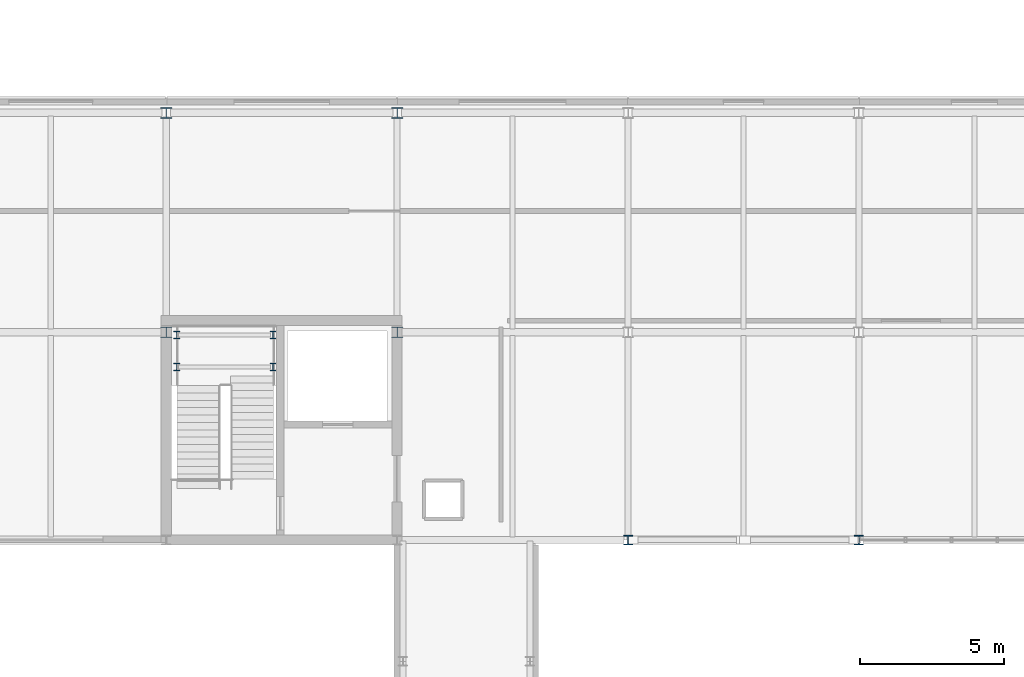
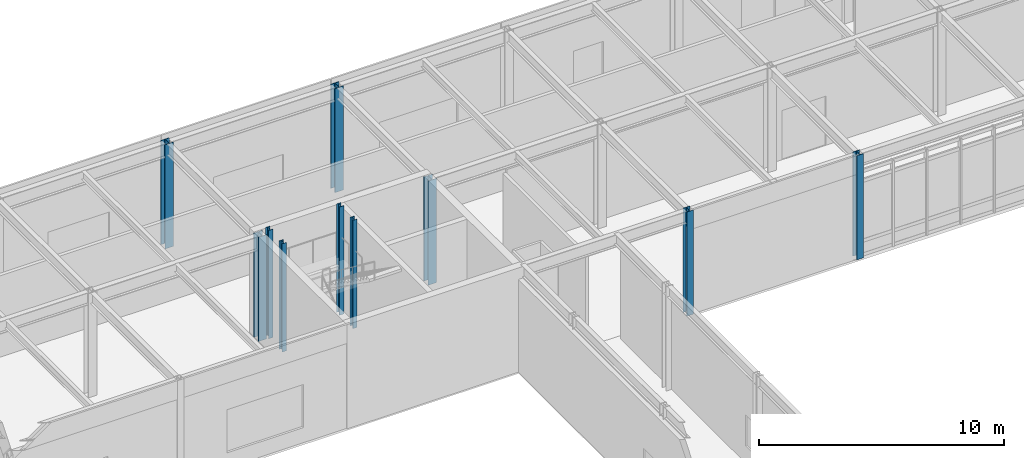
# One storey, part 6 of 94: 10 columns.
"""IFC4 building model written with IfcOpenShell, lengths in metres."""

import ifcopenshell
import ifcopenshell.guid

model = None  # the IFC model being written
_history = None  # IfcOwnerHistory: only IFC2X3 demands one
_inside = {}  # id of a spatial element -> (the spatial element, [elements in it])
_under = {}  # id of a project, library or spatial element -> (it, [spatial elements below it])
_declared = {}  # id of a project -> (the project, [libraries it declares])
_typed = {}  # id of a type object -> (the type object, [elements of that type])
_made_of = {}  # id of a material, layer set ... -> (it, [elements and type objects made of it])


def new_model(schema):
    """Start an empty IFC model of exactly this schema.

    Asked for "IFC4X3", IfcOpenShell would pick the latest addendum, in which some entities
    have other attributes; the version numbers below select the first issue.
    IFC2X3 requires an IfcOwnerHistory on every rooted entity: one is made here for all.
    """
    global model, _history
    if schema == "IFC4X3":
        model = ifcopenshell.file(schema_version=(4, 3, 0, 0))
    else:
        model = ifcopenshell.file(schema=schema)
    _inside.clear()
    _under.clear()
    _declared.clear()
    _typed.clear()
    _made_of.clear()
    _history = None
    if model.schema == "IFC2X3":
        org = make("IfcOrganization", Name="unknown")
        user = make(
            "IfcPersonAndOrganization",
            ThePerson=make("IfcPerson", FamilyName="unknown"),
            TheOrganization=org,
        )
        app = make(
            "IfcApplication",
            ApplicationDeveloper=org,
            Version="unknown",
            ApplicationFullName="unknown",
            ApplicationIdentifier="unknown",
        )
        _history = make(
            "IfcOwnerHistory",
            OwningUser=user,
            OwningApplication=app,
            ChangeAction="ADDED",
            CreationDate=0,
        )
    return model


def make(cls, **values):
    """One entity of the class cls with the attributes given. An attribute that is None is left unset."""
    return model.create_entity(
        cls, **{name: value for name, value in values.items() if value is not None}
    )


def rooted(cls, **values):
    """An entity with a GlobalId (a new one), such as an element, a storey or a relation."""
    return make(cls, GlobalId=ifcopenshell.guid.new(), OwnerHistory=_history, **values)


def si_unit(unit_type, name, prefix=None):
    """IfcSIUnit, for example si_unit("LENGTHUNIT", "METRE", prefix="MILLI")."""
    return make("IfcSIUnit", UnitType=unit_type, Prefix=prefix, Name=name)


def assignment(units):
    """IfcUnitAssignment: the units of a project."""
    return None if units is None else make("IfcUnitAssignment", Units=units)


def point(xyz):
    """IfcCartesianPoint."""
    return None if xyz is None else make("IfcCartesianPoint", Coordinates=xyz)


def direction(xyz):
    """IfcDirection."""
    return None if xyz is None else make("IfcDirection", DirectionRatios=xyz)


def frame(location, z_axis=None, x_axis=None):
    """IfcAxis2Placement3D, a coordinate frame: its origin and axes. An axis left out is left unset."""
    return make(
        "IfcAxis2Placement3D",
        Location=point(location),
        Axis=direction(z_axis),
        RefDirection=direction(x_axis),
    )


def frame_2d(location, x_axis=None):
    """IfcAxis2Placement2D, a coordinate frame in the plane: its origin and x axis."""
    return make(
        "IfcAxis2Placement2D", Location=point(location), RefDirection=direction(x_axis)
    )


def origin():
    """The frame at (0, 0, 0) with its axes left unset."""
    return frame((0.0, 0.0, 0.0))


def origin_2d():
    """The frame at (0, 0) in the plane with its x axis left unset."""
    return frame_2d((0.0, 0.0))


def place(relative_to, where):
    """IfcLocalPlacement: puts the frame where relative to a parent placement (None: the world)."""
    return make(
        "IfcLocalPlacement", PlacementRelTo=relative_to, RelativePlacement=where
    )


def context(
    kind, dimensions, precision=None, world=None, true_north=None, identifier=None
):
    """IfcGeometricRepresentationContext, for example the 3D "Model" context."""
    return make(
        "IfcGeometricRepresentationContext",
        ContextIdentifier=identifier,
        ContextType=kind,
        CoordinateSpaceDimension=dimensions,
        Precision=precision,
        WorldCoordinateSystem=world,
        TrueNorth=true_north,
    )


def subcontext(parent, identifier, kind, view, scale=None):
    """IfcGeometricRepresentationSubContext, for example "Body" below "Model"."""
    return make(
        "IfcGeometricRepresentationSubContext",
        ContextIdentifier=identifier,
        ContextType=kind,
        ParentContext=parent,
        TargetScale=scale,
        TargetView=view,
    )


def project(units=None, contexts=None):
    """IfcProject with its units and contexts."""
    return rooted(
        "IfcProject",
        Name="project",
        RepresentationContexts=contexts,
        UnitsInContext=assignment(units),
    )


def spatial(cls, under=None, at=None, **own):
    """A site, building, storey or space (cls), placed at a placement, below another one or the project."""
    s = rooted(cls, ObjectPlacement=at, **own)
    if under is not None:
        _under.setdefault(under.id(), (under, []))[1].append(s)
    return s


def profile(cls, at=None, kind="AREA", **sizes):
    """A parametric profile (cls). Its sizes go by their IFC names, for example OverallWidth=200.0."""
    return make(cls, ProfileType=kind, Position=at, **sizes)


def i_section(**sizes):
    """IfcIShapeProfileDef."""
    return profile("IfcIShapeProfileDef", **sizes)


def extrude(swept, where, along, depth):
    """IfcExtrudedAreaSolid: the profile swept, set in the frame where, extruded along a direction by depth."""
    return make(
        "IfcExtrudedAreaSolid",
        SweptArea=swept,
        Position=where,
        ExtrudedDirection=direction(along),
        Depth=depth,
    )


def shape(context_of_items, identifier, shape_type, items):
    """IfcShapeRepresentation: the items that make up one representation, for example the "Body"."""
    return make(
        "IfcShapeRepresentation",
        ContextOfItems=context_of_items,
        RepresentationIdentifier=identifier,
        RepresentationType=shape_type,
        Items=items,
    )


def material(Name=None, Category=None):
    """IfcMaterial."""
    return make("IfcMaterial", Name=Name, Category=Category)


def material_profile(
    of_material, cross_section, Name=None, Category=None, Priority=None
):
    """IfcMaterialProfile: a cross section and its material."""
    return make(
        "IfcMaterialProfile",
        Name=Name,
        Material=of_material,
        Profile=cross_section,
        Priority=Priority,
        Category=Category,
    )


def profile_set(profiles, Name=None, composite=None):
    """IfcMaterialProfileSet."""
    return make(
        "IfcMaterialProfileSet",
        Name=Name,
        MaterialProfiles=profiles,
        CompositeProfile=composite,
    )


def made_of(thing, what):
    """Note that an element or type object is made of a material, layer set ...; save() writes the relation."""
    if what is not None:
        _made_of.setdefault(what.id(), (what, []))[1].append(thing)
    return thing


def type_object(cls, material=None, **own):
    """A type object (cls), such as IfcWallType, which elements share."""
    return made_of(rooted(cls, **own), material)


def element(
    cls,
    number,
    at=None,
    inside=None,
    cuts=None,
    type_object=None,
    material=None,
    context=None,
    identifier="Body",
    shape_type=None,
    held_by="IfcProductDefinitionShape",
    body=None,
    shapes=None,
    **own,
):
    """One element of the class cls, such as IfcWall. Its Tag is "e" and its number.

    at: its placement. inside: the storey or other place that contains it. cuts: it is an
    opening in that element (IfcRelVoidsElement). A single representation is given by context,
    identifier, shape_type and body (its items); several are given by shapes. held_by: the class
    of the entity that holds the representations. save() writes the other relations.
    """
    e = rooted(cls, Tag="e%d" % number, ObjectPlacement=at, **own)
    if body is not None:
        shapes = [shape(context, identifier, shape_type, body)]
    if shapes is not None:
        e.Representation = make(held_by, Representations=shapes)
    if inside is not None:
        _inside.setdefault(inside.id(), (inside, []))[1].append(e)
    if cuts is not None:
        rooted(
            "IfcRelVoidsElement", RelatingBuildingElement=cuts, RelatedOpeningElement=e
        )
    if type_object is not None:
        _typed.setdefault(type_object.id(), (type_object, []))[1].append(e)
    return made_of(e, material)


def aggregate(whole, parts):
    """IfcRelAggregates: a whole, such as a stair, and the parts it consists of."""
    return rooted("IfcRelAggregates", RelatingObject=whole, RelatedObjects=parts)


def save(model, path):
    """Write the relations noted so far, then the file.

    IfcRelAggregates (storeys below a building ...), IfcRelContainedInSpatialStructure (elements
    in a storey), IfcRelDefinesByType, IfcRelAssociatesMaterial and IfcRelDeclares: one each for
    every whole, place, type object, material and project.
    """
    for whole, parts in _under.values():
        aggregate(whole, parts)
    for where, things in _inside.values():
        rooted(
            "IfcRelContainedInSpatialStructure",
            RelatedElements=things,
            RelatingStructure=where,
        )
    for kind, things in _typed.values():
        rooted("IfcRelDefinesByType", RelatedObjects=things, RelatingType=kind)
    for what, things in _made_of.values():
        rooted("IfcRelAssociatesMaterial", RelatedObjects=things, RelatingMaterial=what)
    for by, libraries in _declared.values():
        rooted("IfcRelDeclares", RelatingContext=by, RelatedDefinitions=libraries)
    model.write(path)


model = new_model("IFC4")

# Units and contexts
model_context = context("Model", 3, precision=1e-05, world=origin(), true_north=direction((0.0, 1.0)))
body_context = subcontext(model_context, "Body", "Model", "MODEL_VIEW")
ifc_project = project(units=[si_unit("LENGTHUNIT", "METRE"), si_unit("AREAUNIT", "SQUARE_METRE"), si_unit("VOLUMEUNIT", "CUBIC_METRE"), si_unit("PLANEANGLEUNIT", "RADIAN"), si_unit("MASSUNIT", "GRAM", prefix="KILO")], contexts=[model_context])

# Site, building, storey
site_placement = place(None, origin())
site = spatial("IfcSite", under=ifc_project, at=site_placement, CompositionType="ELEMENT")
building_placement = place(site_placement, origin())
building = spatial("IfcBuilding", under=site, at=building_placement, Name="Zulena Civic Courthouse", CompositionType="ELEMENT")
storey_placement = place(building_placement, frame((0.0, 0.0, 5.39990234375)))
storey = spatial("IfcBuildingStorey", under=building, at=storey_placement, Name="L01", CompositionType="ELEMENT", Elevation=5.39990234375)

# Columns
ifc_material = material(Name="Steel ASTM A992 Grade 50", Category="steel")
ifc_material_profile_1 = material_profile(ifc_material, i_section(OverallWidth=0.2041015625, OverallDepth=0.257080078125, WebThickness=0.0087890625, FlangeThickness=0.015625, FilletRadius=0.0126953125, at=origin_2d()), Name="W10X45")
ifc_profile_set_1 = profile_set([ifc_material_profile_1], Name="Steel ASTM A992 Grade 50")
column_type_1 = type_object("IfcColumnType", Name="Col_W10X45", PredefinedType="COLUMN", material=ifc_profile_set_1)
for number, where, z_axis, x_axis, name in (
    (1, (20.360107421875, 52.0, 0.0), (0.0, 0.0, 1.0), (1.0, 0.0, 0.0), "col:lnd:K5A:L01:0:0"),
    (2, (23.699951171875, 52.0, 0.0), (0.0, 0.0, 1.0), (1.0, 0.0, 0.0), "col:lnd:K5A:L01:0:1"),
    (3, (20.360107421875, 53.10009765625, 0.0), (0.0, 0.0, 1.0), (1.0, 0.0, 0.0), "col:lnd:K5A:L01:1:0"),
    (4, (23.699951171875, 53.10009765625, 0.0), (0.0, 0.0, 1.0), (1.0, 0.0, 0.0), "col:lnd:K5A:L01:1:1"),
):
    element("IfcColumn", number, at=place(storey_placement, frame(where, z_axis=z_axis, x_axis=x_axis)), inside=storey, type_object=column_type_1, Name=name, PredefinedType="COLUMN", context=body_context, shape_type="SweptSolid", body=[
        extrude(i_section(OverallWidth=0.2041015625, OverallDepth=0.257080078125, WebThickness=0.0087890625, FlangeThickness=0.015625, FilletRadius=0.0126953125, at=origin_2d()), origin(), (0.0, 0.0, 1.0), 5.39501953125),
    ])
ifc_material_profile_2 = material_profile(ifc_material, i_section(OverallWidth=0.31298828125, OverallDepth=0.3330078125, WebThickness=0.01806640625, FlangeThickness=0.0283203125, FilletRadius=0.01513671875, at=origin_2d()), Name="W12X120")
ifc_profile_set_2 = profile_set([ifc_material_profile_2], Name="Steel ASTM A992 Grade 50")
column_type_2 = type_object("IfcColumnType", Name="Col_W12X120", PredefinedType="COLUMN", material=ifc_profile_set_2)
for number, where, z_axis, x_axis, name in (
    (5, (36.0, 46.0, 0.0), (0.0, 0.0, 1.0), (1.0, 0.0, 0.0), "col:V5:L01:36.0:46.0"),
    (6, (44.0, 46.0, 0.0), (0.0, 0.0, 1.0), (1.0, 0.0, 0.0), "col:V5:L01:44.0:46.0"),
):
    element("IfcColumn", number, at=place(storey_placement, frame(where, z_axis=z_axis, x_axis=x_axis)), inside=storey, type_object=column_type_2, Name=name, PredefinedType="COLUMN", context=body_context, shape_type="SweptSolid", body=[
        extrude(i_section(OverallWidth=0.31298828125, OverallDepth=0.3330078125, WebThickness=0.01806640625, FlangeThickness=0.0283203125, FilletRadius=0.01513671875, at=origin_2d()), origin(), (0.0, 0.0, 1.0), 5.18505859375),
    ])
ifc_material_profile_3 = material_profile(ifc_material, i_section(OverallWidth=0.39404296875, OverallDepth=0.3759765625, WebThickness=0.017333984375, FlangeThickness=0.027587890625, FilletRadius=0.01513671875, at=origin_2d()), Name="W14X145")
ifc_profile_set_3 = profile_set([ifc_material_profile_3], Name="Steel ASTM A992 Grade 50")
column_type_3 = type_object("IfcColumnType", Name="Col_W14X145", PredefinedType="COLUMN", material=ifc_profile_set_3)
for number, where, z_axis, x_axis, name in (
    (7, (20.0, 53.199951171875, 0.0), (0.0, 0.0, 1.0), (1.0, 0.0, 0.0), "col:V5:L01:20.0:53.2"),
    (8, (20.0, 60.800048828125, 0.0), (0.0, 0.0, 1.0), (1.0, 0.0, 0.0), "col:V5:L01:20.0:60.8"),
    (9, (28.0, 53.199951171875, 0.0), (0.0, 0.0, 1.0), (1.0, 0.0, 0.0), "col:V5:L01:28.0:53.2"),
    (10, (28.0, 60.800048828125, 0.0), (0.0, 0.0, 1.0), (1.0, 0.0, 0.0), "col:V5:L01:28.0:60.8"),
):
    element("IfcColumn", number, at=place(storey_placement, frame(where, z_axis=z_axis, x_axis=x_axis)), inside=storey, type_object=column_type_3, Name=name, PredefinedType="COLUMN", context=body_context, shape_type="SweptSolid", body=[
        extrude(i_section(OverallWidth=0.39404296875, OverallDepth=0.3759765625, WebThickness=0.017333984375, FlangeThickness=0.027587890625, FilletRadius=0.01513671875, at=origin_2d()), origin(), (0.0, 0.0, 1.0), 5.18505859375),
    ])

save(model, "model.ifc")
